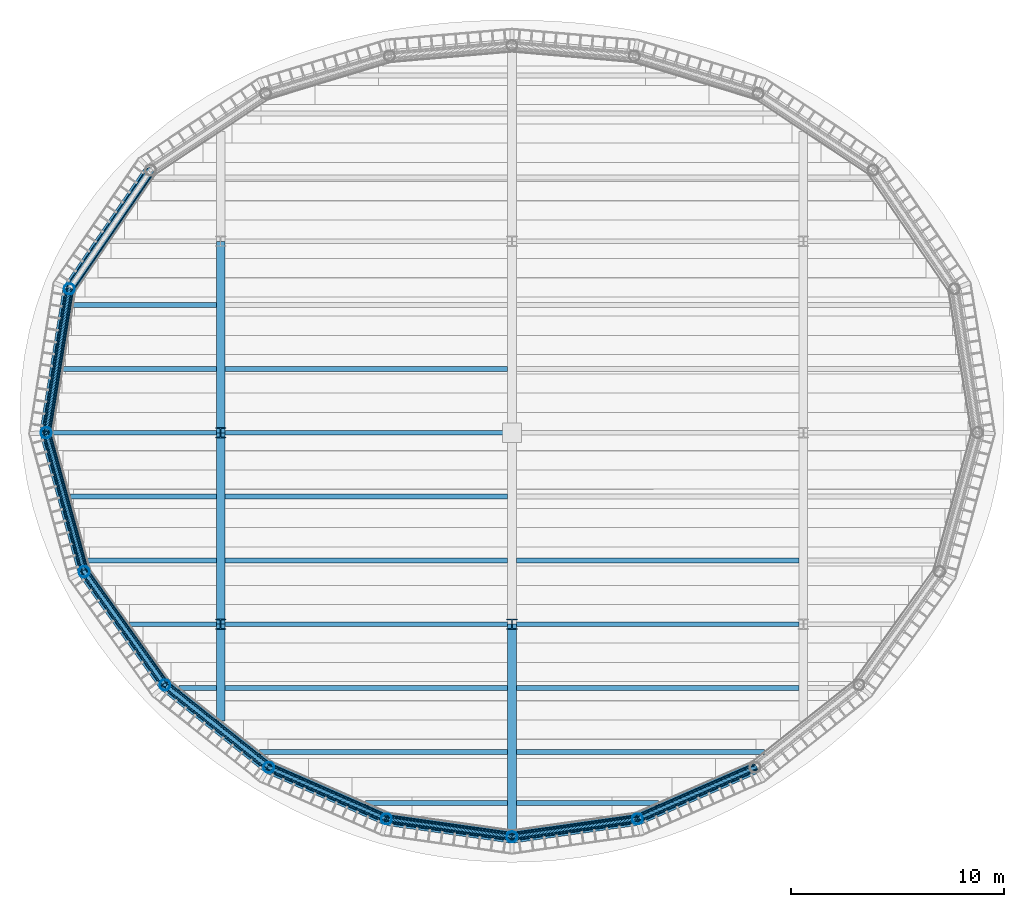
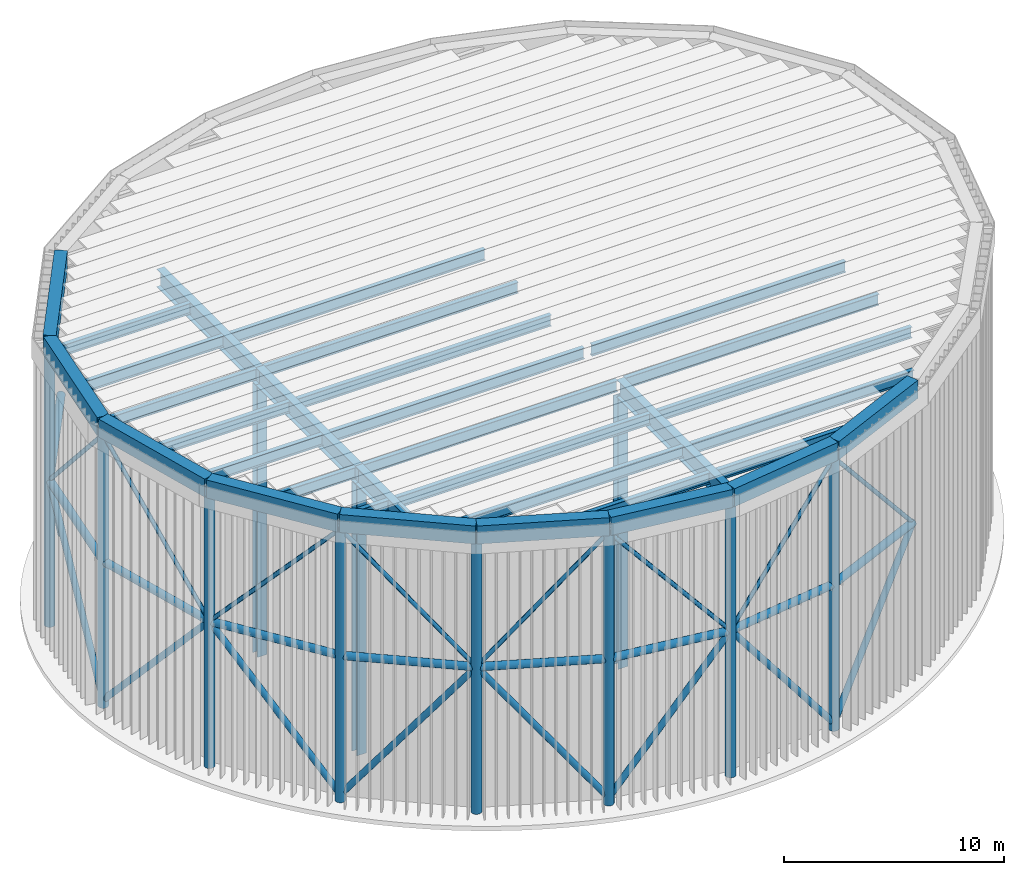
# One storey, part 1 of 11: 42 beams, 28 members.
"""IFC4 building model written with IfcOpenShell, lengths in metres."""

from ifc_helpers import new_model, si_unit, direction, frame, origin, origin_2d, place, context, subcontext, project, spatial, hollow_rectangle, hollow_circle, i_section, extrude, material, material_profile, profile_set, type_object, element, save


model = new_model("IFC4")

# Units and contexts
model_context = context("Model", 3, precision=1e-05, world=origin(), true_north=direction((0.0, 1.0)))
body_context = subcontext(model_context, "Body", "Model", "MODEL_VIEW")
ifc_project = project(units=[si_unit("LENGTHUNIT", "METRE"), si_unit("AREAUNIT", "SQUARE_METRE"), si_unit("VOLUMEUNIT", "CUBIC_METRE"), si_unit("PLANEANGLEUNIT", "RADIAN"), si_unit("MASSUNIT", "GRAM", prefix="KILO")], contexts=[model_context])

# Site, building, storey
site_placement = place(None, origin())
site = spatial("IfcSite", under=ifc_project, at=site_placement, CompositionType="ELEMENT")
building_placement = place(site_placement, origin())
building = spatial("IfcBuilding", under=site, at=building_placement, Name="Marramba Exchange Tower", CompositionType="ELEMENT")
storey_placement = place(building_placement, frame((0.0, 0.0, 282.0)))
storey = spatial("IfcBuildingStorey", under=building, at=storey_placement, Name="Roof crown", CompositionType="ELEMENT", Elevation=282.0)

# Members
ifc_material_1 = material(Name="Steel AS/NZS 1163 grade C350L0", Category="steel")
ifc_material_profile_1 = material_profile(ifc_material_1, hollow_circle(Radius=0.161865234375, WallThickness=0.0126953125, at=origin_2d()), Name="323.9x12.7CHS")
ifc_profile_set_1 = profile_set([ifc_material_profile_1], Name="Steel AS/NZS 1163 grade C350L0")
member_type_1 = type_object("IfcMemberType", Name="CROWN FRAME BRACE 323.9x12.7CHS", PredefinedType="BRACE", material=ifc_profile_set_1)
member_1_placement = place(storey_placement, frame((-16.98583984375, 12.3408203125, 0.300048828125), z_axis=(-0.372975930298, -0.544444330777, 0.751311736966), x_axis=(0.824981303535, -0.56516002054, 0.0)))
element("IfcMember", 1, at=member_1_placement, inside=storey, type_object=member_type_1, Name="Crown frame brace 09", PredefinedType="BRACE", context=body_context, shape_type="SweptSolid", body=[
    extrude(hollow_circle(Radius=0.161865234375, WallThickness=0.0126953125, at=origin_2d()), origin(), (0.0, 0.0, 1.0), 10.248779296875),
])
member_2_placement = place(storey_placement, frame((-21.89990234375, 0.0, 0.300048828125), z_axis=(0.105925248953, 0.656092131349, 0.747210115574), x_axis=(-0.987216523708, 0.159384865399, 0.0)))
element("IfcMember", 2, at=member_2_placement, inside=storey, type_object=member_type_1, Name="Crown frame brace 10", PredefinedType="BRACE", context=body_context, shape_type="SweptSolid", body=[
    extrude(hollow_circle(Radius=0.161865234375, WallThickness=0.0126953125, at=origin_2d()), origin(), (0.0, 0.0, 1.0), 10.304931640625),
])
member_3_placement = place(storey_placement, frame((-21.89990234375, 0.0, 0.300048828125), z_axis=(0.174581728034, -0.637078100268, 0.750768082963), x_axis=(0.964442937176, 0.264291166956, 0.0)))
element("IfcMember", 3, at=member_3_placement, inside=storey, type_object=member_type_1, Name="Crown frame brace 11", PredefinedType="BRACE", context=body_context, shape_type="SweptSolid", body=[
    extrude(hollow_circle(Radius=0.161865234375, WallThickness=0.0126953125, at=origin_2d()), origin(), (0.0, 0.0, 1.0), 10.256103515625),
])
member_4_placement = place(storey_placement, frame((-16.3154296875, -11.853759765625, 0.300048828125), z_axis=(-0.375686400247, 0.526782925443, 0.762469329305), x_axis=(-0.814162430914, -0.580637181111, 0.0)))
element("IfcMember", 4, at=member_4_placement, inside=storey, type_object=member_type_1, Name="Crown frame brace 12", PredefinedType="BRACE", context=body_context, shape_type="SweptSolid", body=[
    extrude(hollow_circle(Radius=0.161865234375, WallThickness=0.0126953125, at=origin_2d()), origin(), (0.0, 0.0, 1.0), 10.0986328125),
])
member_5_placement = place(storey_placement, frame((-16.3154296875, -11.853759765625, 0.300048828125), z_axis=(0.492961552551, -0.391432512716, 0.777026058569), x_axis=(0.621846138887, 0.783139438128, 0.0)))
element("IfcMember", 5, at=member_5_placement, inside=storey, type_object=member_type_1, Name="Crown frame brace 13", PredefinedType="BRACE", context=body_context, shape_type="SweptSolid", body=[
    extrude(hollow_circle(Radius=0.161865234375, WallThickness=0.0126953125, at=origin_2d()), origin(), (0.0, 0.0, 1.0), 9.909423828125),
])
member_6_placement = place(storey_placement, frame((-5.899658203125, -18.156982421875, 0.300048828125), z_axis=(-0.56520008029, 0.24774595203, 0.786874076643), x_axis=(-0.4014592363, -0.915876892158, 0.0)))
element("IfcMember", 6, at=member_6_placement, inside=storey, type_object=member_type_1, Name="Crown frame brace 14", PredefinedType="BRACE", context=body_context, shape_type="SweptSolid", body=[
    extrude(hollow_circle(Radius=0.161865234375, WallThickness=0.0126953125, at=origin_2d()), origin(), (0.0, 0.0, 1.0), 9.785400390625),
])
for number, where, z_axis, x_axis, name in (
    (7, (-5.899658203125, -18.156982421875, 0.300048828125), (0.605932481829, -0.086182079042, 0.790834038668), (0.140813337152, 0.990036163016, 0.0), "Crown frame brace 15"),
    (8, (5.899658203125, -18.156982421875, 0.300048828125), (-0.605932481829, -0.086182079042, 0.790834038668), (0.140813337152, -0.990036163016, 0.0), "Crown frame brace 16"),
):
    element("IfcMember", number, at=place(storey_placement, frame(where, z_axis=z_axis, x_axis=x_axis)), inside=storey, type_object=member_type_1, Name=name, PredefinedType="BRACE", context=body_context, shape_type="SweptSolid", body=[
        extrude(hollow_circle(Radius=0.161865234375, WallThickness=0.0126953125, at=origin_2d()), origin(), (0.0, 0.0, 1.0), 9.736572265625),
    ])
member_7_placement = place(storey_placement, frame((5.899658203125, -18.156982421875, 0.300048828125), z_axis=(0.56520008029, 0.24774595203, 0.786874076643), x_axis=(-0.4014592363, 0.915876892158, 0.0)))
element("IfcMember", 9, at=member_7_placement, inside=storey, type_object=member_type_1, Name="Crown frame brace 17", PredefinedType="BRACE", context=body_context, shape_type="SweptSolid", body=[
    extrude(hollow_circle(Radius=0.161865234375, WallThickness=0.0126953125, at=origin_2d()), origin(), (0.0, 0.0, 1.0), 9.785400390625),
])

# Beams
ifc_material_2 = material(Name="Steel AS/NZS 3678 grade 350", Category="steel")
ifc_material_profile_2 = material_profile(ifc_material_2, hollow_rectangle(XDim=0.60009765625, YDim=1.0, WallThickness=0.02490234375, at=origin_2d()), Name="1000x600x25BOX")
ifc_profile_set_2 = profile_set([ifc_material_profile_2], Name="Steel AS/NZS 3678 grade 350")
beam_type_1 = type_object("IfcBeamType", Name="CROWN FRAME CAP RING 1000x600x25BOX", PredefinedType="BEAM", material=ifc_profile_set_2)
beam_1_placement = place(storey_placement, frame((-16.98583984375, 12.3408203125, 15.5), z_axis=(-0.56516002054, -0.824981303535, 0.0), x_axis=(0.824981303535, -0.56516002054, 0.0)))
element("IfcBeam", 10, at=beam_1_placement, inside=storey, type_object=beam_type_1, Name="Crown frame cap ring 09", PredefinedType="BEAM", context=body_context, shape_type="SweptSolid", body=[
    extrude(hollow_rectangle(XDim=0.60009765625, YDim=1.0, WallThickness=0.02490234375, at=origin_2d()), origin(), (0.0, 0.0, 1.0), 6.763671875),
])
beam_2_placement = place(storey_placement, frame((-20.808349609375, 6.760986328125, 15.5), z_axis=(-0.159384865399, -0.987216523708, 0.0), x_axis=(0.987216523708, -0.159384865399, 0.0)))
element("IfcBeam", 11, at=beam_2_placement, inside=storey, type_object=beam_type_1, Name="Crown frame cap ring 10", PredefinedType="BEAM", context=body_context, shape_type="SweptSolid", body=[
    extrude(hollow_rectangle(XDim=0.60009765625, YDim=1.0, WallThickness=0.02490234375, at=origin_2d()), origin(), (0.0, 0.0, 1.0), 6.8486328125),
])
beam_3_placement = place(storey_placement, frame((-21.89990234375, 0.0, 15.5), z_axis=(0.264291166956, -0.964442937176, 0.0), x_axis=(0.964442937176, 0.264291166956, 0.0)))
element("IfcBeam", 12, at=beam_3_placement, inside=storey, type_object=beam_type_1, Name="Crown frame cap ring 11", PredefinedType="BEAM", context=body_context, shape_type="SweptSolid", body=[
    extrude(hollow_rectangle(XDim=0.60009765625, YDim=1.0, WallThickness=0.02490234375, at=origin_2d()), origin(), (0.0, 0.0, 1.0), 6.77490234375),
])
beam_4_placement = place(storey_placement, frame((-20.109375, -6.533935546875, 15.5), z_axis=(0.580637181111, -0.814162430914, 0.0), x_axis=(0.814162430914, 0.580637181111, 0.0)))
element("IfcBeam", 13, at=beam_4_placement, inside=storey, type_object=beam_type_1, Name="Crown frame cap ring 12", PredefinedType="BEAM", context=body_context, shape_type="SweptSolid", body=[
    extrude(hollow_rectangle(XDim=0.60009765625, YDim=1.0, WallThickness=0.02490234375, at=origin_2d()), origin(), (0.0, 0.0, 1.0), 6.5341796875),
])
beam_5_placement = place(storey_placement, frame((-16.3154296875, -11.853759765625, 15.5), z_axis=(0.783139438128, -0.621846138887, 0.0), x_axis=(0.621846138887, 0.783139438128, 0.0)))
element("IfcBeam", 14, at=beam_5_placement, inside=storey, type_object=beam_type_1, Name="Crown frame cap ring 13", PredefinedType="BEAM", context=body_context, shape_type="SweptSolid", body=[
    extrude(hollow_rectangle(XDim=0.60009765625, YDim=1.0, WallThickness=0.02490234375, at=origin_2d()), origin(), (0.0, 0.0, 1.0), 6.23779296875),
])
beam_6_placement = place(storey_placement, frame((-11.430419921875, -15.732666015625, 15.5), z_axis=(0.915876892158, -0.4014592363, 0.0), x_axis=(0.4014592363, 0.915876892158, 0.0)))
element("IfcBeam", 15, at=beam_6_placement, inside=storey, type_object=beam_type_1, Name="Crown frame cap ring 14", PredefinedType="BEAM", context=body_context, shape_type="SweptSolid", body=[
    extrude(hollow_rectangle(XDim=0.60009765625, YDim=1.0, WallThickness=0.02490234375, at=origin_2d()), origin(), (0.0, 0.0, 1.0), 6.038818359375),
])
for number, where, z_axis, x_axis, name in (
    (16, (-5.899658203125, -18.156982421875, 15.5), (0.990036163016, -0.140813337152, 0.0), (0.140813337152, 0.990036163016, 0.0), "Crown frame cap ring 15"),
    (17, (0.0, -18.99609375, 15.5), (0.990036163016, 0.140813337152, 0.0), (-0.140813337152, 0.990036163016, 0.0), "Crown frame cap ring 16"),
):
    element("IfcBeam", number, at=place(storey_placement, frame(where, z_axis=z_axis, x_axis=x_axis)), inside=storey, type_object=beam_type_1, Name=name, PredefinedType="BEAM", context=body_context, shape_type="SweptSolid", body=[
        extrude(hollow_rectangle(XDim=0.60009765625, YDim=1.0, WallThickness=0.02490234375, at=origin_2d()), origin(), (0.0, 0.0, 1.0), 5.958984375),
    ])
beam_7_placement = place(storey_placement, frame((5.899658203125, -18.156982421875, 15.5), z_axis=(0.915876892158, 0.4014592363, 0.0), x_axis=(-0.4014592363, 0.915876892158, 0.0)))
element("IfcBeam", 18, at=beam_7_placement, inside=storey, type_object=beam_type_1, Name="Crown frame cap ring 17", PredefinedType="BEAM", context=body_context, shape_type="SweptSolid", body=[
    extrude(hollow_rectangle(XDim=0.60009765625, YDim=1.0, WallThickness=0.02490234375, at=origin_2d()), origin(), (0.0, 0.0, 1.0), 6.038818359375),
])

# Members
ifc_material_3 = material(Name="Steel AS/NZS 3679.2 grade 300", Category="steel")
ifc_material_profile_3 = material_profile(ifc_material_3, i_section(OverallWidth=0.5, OverallDepth=0.47998046875, WebThickness=0.0400390625, FlangeThickness=0.0400390625, at=origin_2d()), Name="500WC440")
ifc_profile_set_3 = profile_set([ifc_material_profile_3], Name="Steel AS/NZS 3679.2 grade 300")
member_type_2 = type_object("IfcMemberType", Name="CROWN FRAME INTERIOR POST 500WC440", PredefinedType="POST", material=ifc_profile_set_3)
for number, where, z_axis, x_axis, name in (
    (19, (-13.699951171875, -9.0, 0.0), (0.0, 0.0, 1.0), (1.0, 0.0, 0.0), "Crown frame interior post CF6 01"),
    (20, (0.0, -9.0, 0.0), (0.0, 0.0, 1.0), (1.0, 0.0, 0.0), "Crown frame interior post CF6 02"),
    (21, (-13.699951171875, 0.0, 0.0), (0.0, 0.0, 1.0), (1.0, 0.0, 0.0), "Crown frame interior post CF6 08"),
):
    element("IfcMember", number, at=place(storey_placement, frame(where, z_axis=z_axis, x_axis=x_axis)), inside=storey, type_object=member_type_2, Name=name, PredefinedType="POST", context=body_context, shape_type="SweptSolid", body=[
        extrude(i_section(OverallWidth=0.5, OverallDepth=0.47998046875, WebThickness=0.0400390625, FlangeThickness=0.0400390625, at=origin_2d()), origin(), (0.0, 0.0, 1.0), 14.89990234375),
    ])
ifc_material_profile_4 = material_profile(ifc_material_1, hollow_circle(Radius=0.25390625, WallThickness=0.0126953125, at=origin_2d()), Name="508.0x12.7CHS")
ifc_profile_set_4 = profile_set([ifc_material_profile_4], Name="Steel AS/NZS 1163 grade C350L0")
member_type_3 = type_object("IfcMemberType", Name="CROWN FRAME POST 508.0x12.7CHS", PredefinedType="POST", material=ifc_profile_set_4)
for number, where, z_axis, x_axis, name in (
    (22, (-20.808349609375, 6.760986328125, 0.0), (0.0, 0.0, 1.0), (1.0, 0.0, 0.0), "Crown frame post CF10"),
    (23, (-21.89990234375, 0.0, 0.0), (0.0, 0.0, 1.0), (1.0, 0.0, 0.0), "Crown frame post CF11"),
    (24, (-20.109375, -6.533935546875, 0.0), (0.0, 0.0, 1.0), (1.0, 0.0, 0.0), "Crown frame post CF12"),
    (25, (-16.3154296875, -11.853759765625, 0.0), (0.0, 0.0, 1.0), (1.0, 0.0, 0.0), "Crown frame post CF13"),
    (26, (-11.430419921875, -15.732666015625, 0.0), (0.0, 0.0, 1.0), (1.0, 0.0, 0.0), "Crown frame post CF14"),
    (27, (-5.899658203125, -18.156982421875, 0.0), (0.0, 0.0, 1.0), (1.0, 0.0, 0.0), "Crown frame post CF15"),
    (28, (0.0, -18.99609375, 0.0), (0.0, 0.0, 1.0), (1.0, 0.0, 0.0), "Crown frame post CF16"),
    (29, (5.899658203125, -18.156982421875, 0.0), (0.0, 0.0, 1.0), (1.0, 0.0, 0.0), "Crown frame post CF17"),
):
    element("IfcMember", number, at=place(storey_placement, frame(where, z_axis=z_axis, x_axis=x_axis)), inside=storey, type_object=member_type_3, Name=name, PredefinedType="POST", context=body_context, shape_type="SweptSolid", body=[
        extrude(hollow_circle(Radius=0.25390625, WallThickness=0.0126953125, at=origin_2d()), origin(), (0.0, 0.0, 1.0), 15.0),
    ])

# Beams
ifc_material_profile_5 = material_profile(ifc_material_1, hollow_circle(Radius=0.203125, WallThickness=0.0126953125, at=origin_2d()), Name="406.4x12.7CHS")
ifc_profile_set_5 = profile_set([ifc_material_profile_5], Name="Steel AS/NZS 1163 grade C350L0")
beam_type_2 = type_object("IfcBeamType", Name="CROWN FRAME RING 406.4x12.7CHS", PredefinedType="BEAM", material=ifc_profile_set_5)
beam_8_placement = place(storey_placement, frame((-16.98583984375, 12.3408203125, 8.0), z_axis=(-0.56516002054, -0.824981303535, 0.0), x_axis=(0.824981303535, -0.56516002054, 0.0)))
element("IfcBeam", 30, at=beam_8_placement, inside=storey, type_object=beam_type_2, Name="Crown frame ring mid 09", PredefinedType="BEAM", context=body_context, shape_type="SweptSolid", body=[
    extrude(hollow_circle(Radius=0.203125, WallThickness=0.0126953125, at=origin_2d()), origin(), (0.0, 0.0, 1.0), 6.763671875),
])
beam_9_placement = place(storey_placement, frame((-20.808349609375, 6.760986328125, 8.0), z_axis=(-0.159384865399, -0.987216523708, 0.0), x_axis=(0.987216523708, -0.159384865399, 0.0)))
element("IfcBeam", 31, at=beam_9_placement, inside=storey, type_object=beam_type_2, Name="Crown frame ring mid 10", PredefinedType="BEAM", context=body_context, shape_type="SweptSolid", body=[
    extrude(hollow_circle(Radius=0.203125, WallThickness=0.0126953125, at=origin_2d()), origin(), (0.0, 0.0, 1.0), 6.8486328125),
])
beam_10_placement = place(storey_placement, frame((-21.89990234375, 0.0, 8.0), z_axis=(0.264291166956, -0.964442937176, 0.0), x_axis=(0.964442937176, 0.264291166956, 0.0)))
element("IfcBeam", 32, at=beam_10_placement, inside=storey, type_object=beam_type_2, Name="Crown frame ring mid 11", PredefinedType="BEAM", context=body_context, shape_type="SweptSolid", body=[
    extrude(hollow_circle(Radius=0.203125, WallThickness=0.0126953125, at=origin_2d()), origin(), (0.0, 0.0, 1.0), 6.77490234375),
])
beam_11_placement = place(storey_placement, frame((-20.109375, -6.533935546875, 8.0), z_axis=(0.580637181111, -0.814162430914, 0.0), x_axis=(0.814162430914, 0.580637181111, 0.0)))
element("IfcBeam", 33, at=beam_11_placement, inside=storey, type_object=beam_type_2, Name="Crown frame ring mid 12", PredefinedType="BEAM", context=body_context, shape_type="SweptSolid", body=[
    extrude(hollow_circle(Radius=0.203125, WallThickness=0.0126953125, at=origin_2d()), origin(), (0.0, 0.0, 1.0), 6.5341796875),
])
beam_12_placement = place(storey_placement, frame((-16.3154296875, -11.853759765625, 8.0), z_axis=(0.783139438128, -0.621846138887, 0.0), x_axis=(0.621846138887, 0.783139438128, 0.0)))
element("IfcBeam", 34, at=beam_12_placement, inside=storey, type_object=beam_type_2, Name="Crown frame ring mid 13", PredefinedType="BEAM", context=body_context, shape_type="SweptSolid", body=[
    extrude(hollow_circle(Radius=0.203125, WallThickness=0.0126953125, at=origin_2d()), origin(), (0.0, 0.0, 1.0), 6.23779296875),
])
beam_13_placement = place(storey_placement, frame((-11.430419921875, -15.732666015625, 8.0), z_axis=(0.915876892158, -0.4014592363, 0.0), x_axis=(0.4014592363, 0.915876892158, 0.0)))
element("IfcBeam", 35, at=beam_13_placement, inside=storey, type_object=beam_type_2, Name="Crown frame ring mid 14", PredefinedType="BEAM", context=body_context, shape_type="SweptSolid", body=[
    extrude(hollow_circle(Radius=0.203125, WallThickness=0.0126953125, at=origin_2d()), origin(), (0.0, 0.0, 1.0), 6.038818359375),
])
for number, where, z_axis, x_axis, name in (
    (36, (-5.899658203125, -18.156982421875, 8.0), (0.990036163016, -0.140813337152, 0.0), (0.140813337152, 0.990036163016, 0.0), "Crown frame ring mid 15"),
    (37, (0.0, -18.99609375, 8.0), (0.990036163016, 0.140813337152, 0.0), (-0.140813337152, 0.990036163016, 0.0), "Crown frame ring mid 16"),
):
    element("IfcBeam", number, at=place(storey_placement, frame(where, z_axis=z_axis, x_axis=x_axis)), inside=storey, type_object=beam_type_2, Name=name, PredefinedType="BEAM", context=body_context, shape_type="SweptSolid", body=[
        extrude(hollow_circle(Radius=0.203125, WallThickness=0.0126953125, at=origin_2d()), origin(), (0.0, 0.0, 1.0), 5.958984375),
    ])
beam_14_placement = place(storey_placement, frame((5.899658203125, -18.156982421875, 8.0), z_axis=(0.915876892158, 0.4014592363, 0.0), x_axis=(-0.4014592363, 0.915876892158, 0.0)))
element("IfcBeam", 38, at=beam_14_placement, inside=storey, type_object=beam_type_2, Name="Crown frame ring mid 17", PredefinedType="BEAM", context=body_context, shape_type="SweptSolid", body=[
    extrude(hollow_circle(Radius=0.203125, WallThickness=0.0126953125, at=origin_2d()), origin(), (0.0, 0.0, 1.0), 6.038818359375),
])
ifc_material_profile_6 = material_profile(ifc_material_3, i_section(OverallWidth=0.39990234375, OverallDepth=1.0, WebThickness=0.01611328125, FlangeThickness=0.031982421875, at=origin_2d()), Name="1000WB322")
ifc_profile_set_6 = profile_set([ifc_material_profile_6], Name="Steel AS/NZS 3679.2 grade 300")
beam_type_3 = type_object("IfcBeamType", Name="CROWN FRAME ROOF GIRDER 1000WB322", PredefinedType="BEAM", material=ifc_profile_set_6)
beam_15_placement = place(storey_placement, frame((-13.699951171875, -13.54736328125, 15.39990234375), z_axis=(0.0, 1.0, 0.0), x_axis=(-1.0, 0.0, 0.0)))
element("IfcBeam", 39, at=beam_15_placement, inside=storey, type_object=beam_type_3, Name="Crown frame roof girder CF7 01", PredefinedType="BEAM", context=body_context, shape_type="SweptSolid", body=[
    extrude(i_section(OverallWidth=0.39990234375, OverallDepth=1.0, WebThickness=0.01611328125, FlangeThickness=0.031982421875, at=origin_2d()), origin(), (0.0, 0.0, 1.0), 4.54736328125),
])
for number, where, z_axis, x_axis, name in (
    (40, (-13.699951171875, -9.0, 15.39990234375), (0.0, 1.0, 0.0), (-1.0, 0.0, 0.0), "Crown frame roof girder CF7 02"),
    (41, (-13.699951171875, 0.0, 15.39990234375), (0.0, 1.0, 0.0), (-1.0, 0.0, 0.0), "Crown frame roof girder CF7 03"),
):
    element("IfcBeam", number, at=place(storey_placement, frame(where, z_axis=z_axis, x_axis=x_axis)), inside=storey, type_object=beam_type_3, Name=name, PredefinedType="BEAM", context=body_context, shape_type="SweptSolid", body=[
        extrude(i_section(OverallWidth=0.39990234375, OverallDepth=1.0, WebThickness=0.01611328125, FlangeThickness=0.031982421875, at=origin_2d()), origin(), (0.0, 0.0, 1.0), 9.0),
    ])
beam_16_placement = place(storey_placement, frame((0.0, -18.69287109375, 15.39990234375), z_axis=(0.0, 1.0, 0.0), x_axis=(-1.0, 0.0, 0.0)))
element("IfcBeam", 42, at=beam_16_placement, inside=storey, type_object=beam_type_3, Name="Crown frame roof girder CF7 05", PredefinedType="BEAM", context=body_context, shape_type="SweptSolid", body=[
    extrude(i_section(OverallWidth=0.39990234375, OverallDepth=1.0, WebThickness=0.01611328125, FlangeThickness=0.031982421875, at=origin_2d()), origin(), (0.0, 0.0, 1.0), 9.69287109375),
])
ifc_material_4 = material(Name="Steel AS/NZS 3679.1 grade 300", Category="steel")
ifc_material_profile_7 = material_profile(ifc_material_4, i_section(OverallWidth=0.22900390625, OverallDepth=0.612060546875, WebThickness=0.011962890625, FlangeThickness=0.01953125, FilletRadius=0.013916015625, at=origin_2d()), Name="610UB125")
ifc_profile_set_7 = profile_set([ifc_material_profile_7], Name="Steel AS/NZS 3679.1 grade 300")
beam_type_4 = type_object("IfcBeamType", Name="CROWN FRAME ROOF JOIST 610UB125", PredefinedType="JOIST", material=ifc_profile_set_7)
for number, where, z_axis, x_axis, name in (
    (43, (-6.87939453125, -17.39990234375, 15.593994140625), (1.0, 0.0, 0.0), (0.0, 1.0, 0.0), "Crown frame roof joist CF8 01"),
    (44, (0.199951171875, -17.39990234375, 15.593994140625), (1.0, 0.0, 0.0), (0.0, 1.0, 0.0), "Crown frame roof joist CF8 02"),
):
    element("IfcBeam", number, at=place(storey_placement, frame(where, z_axis=z_axis, x_axis=x_axis)), inside=storey, type_object=beam_type_4, Name=name, PredefinedType="JOIST", context=body_context, shape_type="SweptSolid", body=[
        extrude(i_section(OverallWidth=0.22900390625, OverallDepth=0.612060546875, WebThickness=0.011962890625, FlangeThickness=0.01953125, FilletRadius=0.013916015625, at=origin_2d()), origin(), (0.0, 0.0, 1.0), 6.679443359375),
    ])
for number, where, z_axis, x_axis, name in (
    (45, (-11.87060546875, -15.0, 15.593994140625), (1.0, 0.0, 0.0), (0.0, 1.0, 0.0), "Crown frame roof joist CF8 03"),
    (46, (0.199951171875, -15.0, 15.593994140625), (1.0, 0.0, 0.0), (0.0, 1.0, 0.0), "Crown frame roof joist CF8 04"),
):
    element("IfcBeam", number, at=place(storey_placement, frame(where, z_axis=z_axis, x_axis=x_axis)), inside=storey, type_object=beam_type_4, Name=name, PredefinedType="JOIST", context=body_context, shape_type="SweptSolid", body=[
        extrude(i_section(OverallWidth=0.22900390625, OverallDepth=0.612060546875, WebThickness=0.011962890625, FlangeThickness=0.01953125, FilletRadius=0.013916015625, at=origin_2d()), origin(), (0.0, 0.0, 1.0), 11.670654296875),
    ])
beam_17_placement = place(storey_placement, frame((-15.64892578125, -12.0, 15.593994140625), z_axis=(1.0, 0.0, 0.0), x_axis=(0.0, 1.0, 0.0)))
element("IfcBeam", 47, at=beam_17_placement, inside=storey, type_object=beam_type_4, Name="Crown frame roof joist CF8 05", PredefinedType="JOIST", context=body_context, shape_type="SweptSolid", body=[
    extrude(i_section(OverallWidth=0.22900390625, OverallDepth=0.612060546875, WebThickness=0.011962890625, FlangeThickness=0.01953125, FilletRadius=0.013916015625, at=origin_2d()), origin(), (0.0, 0.0, 1.0), 1.7490234375),
])
for number, where, z_axis, x_axis, name in (
    (48, (-13.5, -12.0, 15.593994140625), (1.0, 0.0, 0.0), (0.0, 1.0, 0.0), "Crown frame roof joist CF8 06"),
    (49, (0.199951171875, -12.0, 15.593994140625), (1.0, 0.0, 0.0), (0.0, 1.0, 0.0), "Crown frame roof joist CF8 07"),
):
    element("IfcBeam", number, at=place(storey_placement, frame(where, z_axis=z_axis, x_axis=x_axis)), inside=storey, type_object=beam_type_4, Name=name, PredefinedType="JOIST", context=body_context, shape_type="SweptSolid", body=[
        extrude(i_section(OverallWidth=0.22900390625, OverallDepth=0.612060546875, WebThickness=0.011962890625, FlangeThickness=0.01953125, FilletRadius=0.013916015625, at=origin_2d()), origin(), (0.0, 0.0, 1.0), 13.300048828125),
    ])
beam_18_placement = place(storey_placement, frame((-17.982177734375, -9.0, 15.593994140625), z_axis=(1.0, 0.0, 0.0), x_axis=(0.0, 1.0, 0.0)))
element("IfcBeam", 50, at=beam_18_placement, inside=storey, type_object=beam_type_4, Name="Crown frame roof joist CF8 09", PredefinedType="JOIST", context=body_context, shape_type="SweptSolid", body=[
    extrude(i_section(OverallWidth=0.22900390625, OverallDepth=0.612060546875, WebThickness=0.011962890625, FlangeThickness=0.01953125, FilletRadius=0.013916015625, at=origin_2d()), origin(), (0.0, 0.0, 1.0), 4.082275390625),
])
for number, where, z_axis, x_axis, name in (
    (51, (-13.5, -9.0, 15.593994140625), (1.0, 0.0, 0.0), (0.0, 1.0, 0.0), "Crown frame roof joist CF8 10"),
    (52, (0.199951171875, -9.0, 15.593994140625), (1.0, 0.0, 0.0), (0.0, 1.0, 0.0), "Crown frame roof joist CF8 11"),
):
    element("IfcBeam", number, at=place(storey_placement, frame(where, z_axis=z_axis, x_axis=x_axis)), inside=storey, type_object=beam_type_4, Name=name, PredefinedType="JOIST", context=body_context, shape_type="SweptSolid", body=[
        extrude(i_section(OverallWidth=0.22900390625, OverallDepth=0.612060546875, WebThickness=0.011962890625, FlangeThickness=0.01953125, FilletRadius=0.013916015625, at=origin_2d()), origin(), (0.0, 0.0, 1.0), 13.300048828125),
    ])
beam_19_placement = place(storey_placement, frame((-19.944580078125, -6.0, 15.593994140625), z_axis=(1.0, 0.0, 0.0), x_axis=(0.0, 1.0, 0.0)))
element("IfcBeam", 53, at=beam_19_placement, inside=storey, type_object=beam_type_4, Name="Crown frame roof joist CF8 13", PredefinedType="JOIST", context=body_context, shape_type="SweptSolid", body=[
    extrude(i_section(OverallWidth=0.22900390625, OverallDepth=0.612060546875, WebThickness=0.011962890625, FlangeThickness=0.01953125, FilletRadius=0.013916015625, at=origin_2d()), origin(), (0.0, 0.0, 1.0), 6.044677734375),
])
for number, where, z_axis, x_axis, name in (
    (54, (-13.5, -6.0, 15.593994140625), (1.0, 0.0, 0.0), (0.0, 1.0, 0.0), "Crown frame roof joist CF8 14"),
    (55, (0.199951171875, -6.0, 15.593994140625), (1.0, 0.0, 0.0), (0.0, 1.0, 0.0), "Crown frame roof joist CF8 15"),
):
    element("IfcBeam", number, at=place(storey_placement, frame(where, z_axis=z_axis, x_axis=x_axis)), inside=storey, type_object=beam_type_4, Name=name, PredefinedType="JOIST", context=body_context, shape_type="SweptSolid", body=[
        extrude(i_section(OverallWidth=0.22900390625, OverallDepth=0.612060546875, WebThickness=0.011962890625, FlangeThickness=0.01953125, FilletRadius=0.013916015625, at=origin_2d()), origin(), (0.0, 0.0, 1.0), 13.300048828125),
    ])
beam_20_placement = place(storey_placement, frame((-20.766845703125, -3.0, 15.593994140625), z_axis=(1.0, 0.0, 0.0), x_axis=(0.0, 1.0, 0.0)))
element("IfcBeam", 56, at=beam_20_placement, inside=storey, type_object=beam_type_4, Name="Crown frame roof joist CF8 17", PredefinedType="JOIST", context=body_context, shape_type="SweptSolid", body=[
    extrude(i_section(OverallWidth=0.22900390625, OverallDepth=0.612060546875, WebThickness=0.011962890625, FlangeThickness=0.01953125, FilletRadius=0.013916015625, at=origin_2d()), origin(), (0.0, 0.0, 1.0), 6.866943359375),
])
beam_21_placement = place(storey_placement, frame((-13.5, -3.0, 15.593994140625), z_axis=(1.0, 0.0, 0.0), x_axis=(0.0, 1.0, 0.0)))
element("IfcBeam", 57, at=beam_21_placement, inside=storey, type_object=beam_type_4, Name="Crown frame roof joist CF8 18", PredefinedType="JOIST", context=body_context, shape_type="SweptSolid", body=[
    extrude(i_section(OverallWidth=0.22900390625, OverallDepth=0.612060546875, WebThickness=0.011962890625, FlangeThickness=0.01953125, FilletRadius=0.013916015625, at=origin_2d()), origin(), (0.0, 0.0, 1.0), 13.300048828125),
])
beam_22_placement = place(storey_placement, frame((-21.5888671875, 0.0, 15.593994140625), z_axis=(1.0, 0.0, 0.0), x_axis=(0.0, 1.0, 0.0)))
element("IfcBeam", 58, at=beam_22_placement, inside=storey, type_object=beam_type_4, Name="Crown frame roof joist CF8 21", PredefinedType="JOIST", context=body_context, shape_type="SweptSolid", body=[
    extrude(i_section(OverallWidth=0.22900390625, OverallDepth=0.612060546875, WebThickness=0.011962890625, FlangeThickness=0.01953125, FilletRadius=0.013916015625, at=origin_2d()), origin(), (0.0, 0.0, 1.0), 7.68896484375),
])
beam_23_placement = place(storey_placement, frame((-13.5, 0.0, 15.593994140625), z_axis=(1.0, 0.0, 0.0), x_axis=(0.0, 1.0, 0.0)))
element("IfcBeam", 59, at=beam_23_placement, inside=storey, type_object=beam_type_4, Name="Crown frame roof joist CF8 22", PredefinedType="JOIST", context=body_context, shape_type="SweptSolid", body=[
    extrude(i_section(OverallWidth=0.22900390625, OverallDepth=0.612060546875, WebThickness=0.011962890625, FlangeThickness=0.01953125, FilletRadius=0.013916015625, at=origin_2d()), origin(), (0.0, 0.0, 1.0), 13.300048828125),
])
beam_24_placement = place(storey_placement, frame((-21.11181640625, 3.0, 15.593994140625), z_axis=(1.0, 0.0, 0.0), x_axis=(0.0, 1.0, 0.0)))
element("IfcBeam", 60, at=beam_24_placement, inside=storey, type_object=beam_type_4, Name="Crown frame roof joist CF8 25", PredefinedType="JOIST", context=body_context, shape_type="SweptSolid", body=[
    extrude(i_section(OverallWidth=0.22900390625, OverallDepth=0.612060546875, WebThickness=0.011962890625, FlangeThickness=0.01953125, FilletRadius=0.013916015625, at=origin_2d()), origin(), (0.0, 0.0, 1.0), 7.2119140625),
])
beam_25_placement = place(storey_placement, frame((-13.5, 3.0, 15.593994140625), z_axis=(1.0, 0.0, 0.0), x_axis=(0.0, 1.0, 0.0)))
element("IfcBeam", 61, at=beam_25_placement, inside=storey, type_object=beam_type_4, Name="Crown frame roof joist CF8 26", PredefinedType="JOIST", context=body_context, shape_type="SweptSolid", body=[
    extrude(i_section(OverallWidth=0.22900390625, OverallDepth=0.612060546875, WebThickness=0.011962890625, FlangeThickness=0.01953125, FilletRadius=0.013916015625, at=origin_2d()), origin(), (0.0, 0.0, 1.0), 13.300048828125),
])
beam_26_placement = place(storey_placement, frame((-20.62744140625, 6.0, 15.593994140625), z_axis=(1.0, 0.0, 0.0), x_axis=(0.0, 1.0, 0.0)))
element("IfcBeam", 62, at=beam_26_placement, inside=storey, type_object=beam_type_4, Name="Crown frame roof joist CF8 29", PredefinedType="JOIST", context=body_context, shape_type="SweptSolid", body=[
    extrude(i_section(OverallWidth=0.22900390625, OverallDepth=0.612060546875, WebThickness=0.011962890625, FlangeThickness=0.01953125, FilletRadius=0.013916015625, at=origin_2d()), origin(), (0.0, 0.0, 1.0), 6.7275390625),
])

# Members
ifc_material_profile_8 = material_profile(ifc_material_1, hollow_circle(Radius=0.109619140625, WallThickness=0.00830078125, at=origin_2d()), Name="219.1x8.2CHS")
ifc_profile_set_8 = profile_set([ifc_material_profile_8], Name="Steel AS/NZS 1163 grade C350L0")
member_type_4 = type_object("IfcMemberType", Name="CROWN FRAME UPPER BRACE 219.1x8.2CHS", PredefinedType="BRACE", material=ifc_profile_set_8)
member_8_placement = place(storey_placement, frame((-20.808349609375, 6.760986328125, 8.0), z_axis=(-0.111462795453, -0.69039123115, 0.714797868758), x_axis=(0.987216523708, -0.159384865399, 0.0)))
element("IfcMember", 63, at=member_8_placement, inside=storey, type_object=member_type_4, Name="Crown frame brace 30", PredefinedType="BRACE", context=body_context, shape_type="SweptSolid", body=[
    extrude(hollow_circle(Radius=0.109619140625, WallThickness=0.00830078125, at=origin_2d()), origin(), (0.0, 0.0, 1.0), 9.79296875),
])
member_9_placement = place(storey_placement, frame((-20.109375, -6.533935546875, 8.0), z_axis=(-0.183802636636, 0.670726747245, 0.71856956608), x_axis=(-0.964442937176, -0.264291166956, 0.0)))
element("IfcMember", 64, at=member_9_placement, inside=storey, type_object=member_type_4, Name="Crown frame brace 31", PredefinedType="BRACE", context=body_context, shape_type="SweptSolid", body=[
    extrude(hollow_circle(Radius=0.109619140625, WallThickness=0.00830078125, at=origin_2d()), origin(), (0.0, 0.0, 1.0), 9.741455078125),
])
member_10_placement = place(storey_placement, frame((-20.109375, -6.533935546875, 8.0), z_axis=(0.396204407961, -0.555553027637, 0.731014979734), x_axis=(0.814162430914, 0.580637181111, 0.0)))
element("IfcMember", 65, at=member_10_placement, inside=storey, type_object=member_type_4, Name="Crown frame brace 32", PredefinedType="BRACE", context=body_context, shape_type="SweptSolid", body=[
    extrude(hollow_circle(Radius=0.109619140625, WallThickness=0.00830078125, at=origin_2d()), origin(), (0.0, 0.0, 1.0), 9.57568359375),
])
member_11_placement = place(storey_placement, frame((-11.430419921875, -15.732666015625, 8.0), z_axis=(-0.521012554186, 0.413706205253, 0.746587633246), x_axis=(-0.621846138887, -0.783139438128, 0.0)))
element("IfcMember", 66, at=member_11_placement, inside=storey, type_object=member_type_4, Name="Crown frame brace 33", PredefinedType="BRACE", context=body_context, shape_type="SweptSolid", body=[
    extrude(hollow_circle(Radius=0.109619140625, WallThickness=0.00830078125, at=origin_2d()), origin(), (0.0, 0.0, 1.0), 9.3759765625),
])
member_12_placement = place(storey_placement, frame((-11.430419921875, -15.732666015625, 8.0), z_axis=(0.598255424342, -0.262235206309, 0.757181050884), x_axis=(0.4014592363, 0.915876892158, 0.0)))
element("IfcMember", 67, at=member_12_placement, inside=storey, type_object=member_type_4, Name="Crown frame brace 34", PredefinedType="BRACE", context=body_context, shape_type="SweptSolid", body=[
    extrude(hollow_circle(Radius=0.109619140625, WallThickness=0.00830078125, at=origin_2d()), origin(), (0.0, 0.0, 1.0), 9.244873046875),
])
for number, where, z_axis, x_axis, name in (
    (68, (0.0, -18.99609375, 8.0), (-0.641759946784, 0.091277837248, 0.761454218671), (-0.140813337152, -0.990036163016, 0.0), "Crown frame brace 35"),
    (69, (0.0, -18.99609375, 8.0), (0.641759946784, 0.091277837248, 0.761454218671), (-0.140813337152, 0.990036163016, 0.0), "Crown frame brace 36"),
):
    element("IfcMember", number, at=place(storey_placement, frame(where, z_axis=z_axis, x_axis=x_axis)), inside=storey, type_object=member_type_4, Name=name, PredefinedType="BRACE", context=body_context, shape_type="SweptSolid", body=[
        extrude(hollow_circle(Radius=0.109619140625, WallThickness=0.00830078125, at=origin_2d()), origin(), (0.0, 0.0, 1.0), 9.19287109375),
    ])
member_13_placement = place(storey_placement, frame((11.430419921875, -15.732666015625, 8.0), z_axis=(-0.598255424342, -0.262235206309, 0.757181050884), x_axis=(0.4014592363, -0.915876892158, 0.0)))
element("IfcMember", 70, at=member_13_placement, inside=storey, type_object=member_type_4, Name="Crown frame brace 37", PredefinedType="BRACE", context=body_context, shape_type="SweptSolid", body=[
    extrude(hollow_circle(Radius=0.109619140625, WallThickness=0.00830078125, at=origin_2d()), origin(), (0.0, 0.0, 1.0), 9.244873046875),
])

save(model, "model.ifc")
